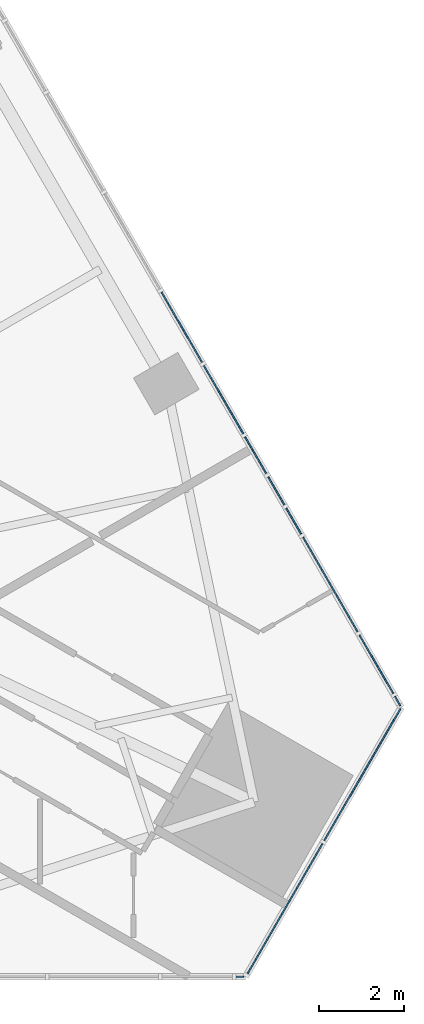
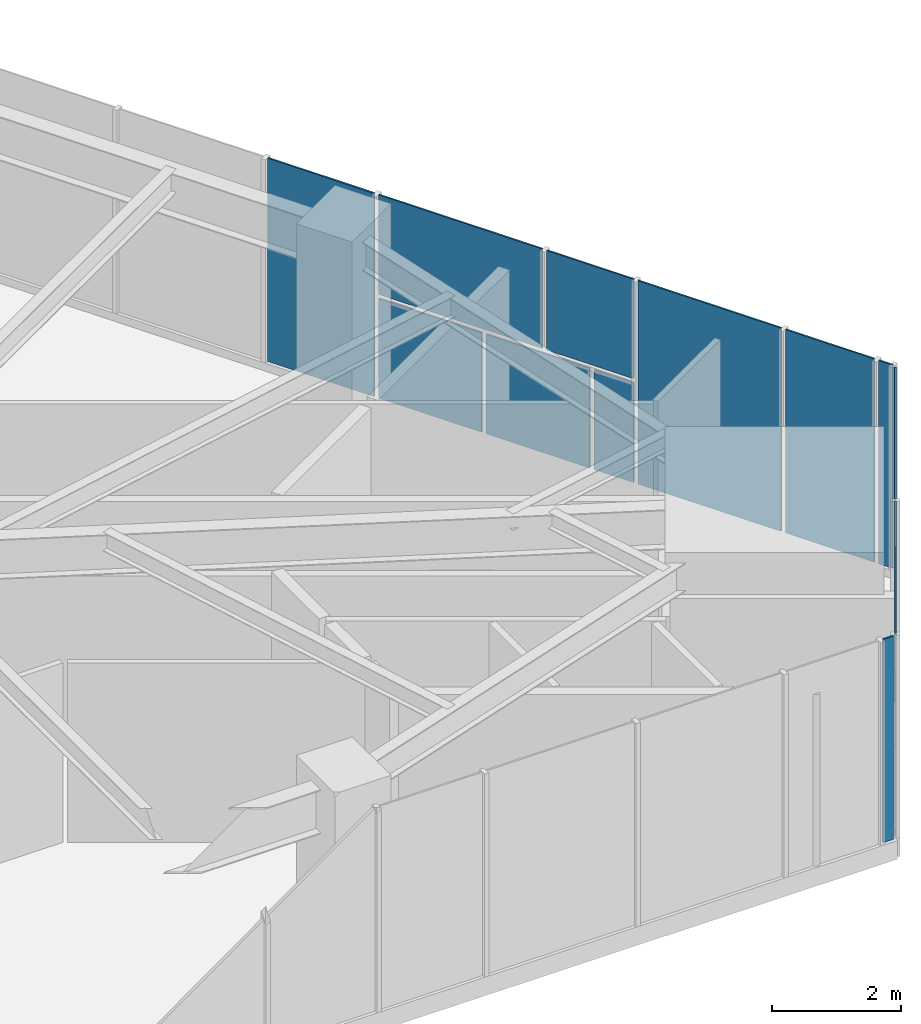
# One storey, part 13 of 22: 12 plates, 3 elements without a shape of their own.
"""IFC4 building model written with IfcOpenShell, lengths in metres."""

from ifc_helpers import new_model, si_unit, direction, frame, origin, place, context, subcontext, project, spatial, polyline, outline, extrude, material, layer, layer_set, type_object, element, aggregate, save


model = new_model("IFC4")

# Units and contexts
model_context = context("Model", 3, precision=1e-05, world=origin(), true_north=direction((0.0, 1.0)))
body_context = subcontext(model_context, "Body", "Model", "MODEL_VIEW")
ifc_project = project(units=[si_unit("LENGTHUNIT", "METRE"), si_unit("AREAUNIT", "SQUARE_METRE"), si_unit("VOLUMEUNIT", "CUBIC_METRE"), si_unit("PLANEANGLEUNIT", "RADIAN"), si_unit("MASSUNIT", "GRAM", prefix="KILO")], contexts=[model_context])

# Site, building, storey
site_placement = place(None, origin())
site = spatial("IfcSite", under=ifc_project, at=site_placement, CompositionType="ELEMENT")
building_placement = place(site_placement, origin())
building = spatial("IfcBuilding", under=site, at=building_placement, Name="Firuza Gate Tower and Library", CompositionType="ELEMENT")
storey_placement = place(building_placement, frame((0.0, 0.0, 128.199951171875)))
storey = spatial("IfcBuildingStorey", under=building, at=storey_placement, Name="L29", CompositionType="ELEMENT", Elevation=128.199951171875)

# Curtain wall, plates
ifc_material_1 = material(Name="Aluminium 6063-T6", Category="aluminium")
ifc_layer_1 = layer(ifc_material_1, 0.14990234375)
ifc_layer_set_1 = layer_set([ifc_layer_1], Name="Corner curtain wall, chamfers")
curtain_wall_type_1 = type_object("IfcCurtainWallType", Name="Corner curtain wall, chamfers", PredefinedType="NOTDEFINED", material=ifc_layer_set_1)
placement = place(storey_placement, origin())
curtain_wall_1 = element("IfcCurtainWall", 1, at=placement, inside=storey, type_object=curtain_wall_type_1, Name="CW4 L29 SE corner", PredefinedType="NOTDEFINED")
ifc_material_2 = material(Name="Fritted glass", Category="glass")
ifc_layer_2 = layer(ifc_material_2, 0.030029296875)
ifc_layer_set_2 = layer_set([ifc_layer_2], Name="Fritted glass unit, corners")
plate_type_1 = type_object("IfcPlateType", Name="Fritted glass unit, corners", PredefinedType="CURTAIN_PANEL", material=ifc_layer_set_2)
plate_1_placement = place(storey_placement, frame((102.89306640625, 54.735107421875, 0.150146484375), z_axis=(0.866016723041, -0.500015035186, 0.0), x_axis=(0.500015035186, 0.866016723041, 0.0)))
plate_1 = element("IfcPlate", 2, at=plate_1_placement, type_object=plate_type_1, Name="Glass unit", PredefinedType="CURTAIN_PANEL", context=body_context, shape_type="SweptSolid", body=[
    extrude(outline(polyline([(0.0, 0.0), (3.5633694106530625, 0.0), (3.5633694106530625, 3.849853515625), (0.0, 3.849853515625), (0.0, 0.0)])), origin(), (0.0, 0.0, -1.0), 0.030029296875),
])
plate_2_placement = place(storey_placement, frame((104.71484375, 57.890380859375, 0.150146484375), z_axis=(0.866046390552, -0.49996364809, 0.0), x_axis=(0.49996364809, 0.866046390552, 0.0)))
plate_2 = element("IfcPlate", 3, at=plate_2_placement, type_object=plate_type_1, Name="Glass unit", PredefinedType="CURTAIN_PANEL", context=body_context, shape_type="SweptSolid", body=[
    extrude(outline(polyline([(0.0, 0.0), (3.563247342942594, 0.0), (3.563247342942594, 3.849853515625), (0.0, 3.849853515625), (0.0, 0.0)])), origin(), (0.0, 0.0, -1.0), 0.030029296875),
])
aggregate(curtain_wall_1, [plate_1, plate_2])

ifc_material_3 = material(Name="Aluminium 6063-T6", Category="aluminium")
ifc_layer_3 = layer(ifc_material_3, 0.14990234375)
ifc_layer_set_3 = layer_set([ifc_layer_3], Name="Unitised curtain wall, offices")
curtain_wall_type_2 = type_object("IfcCurtainWallType", Name="Unitised curtain wall, offices", PredefinedType="NOTDEFINED", material=ifc_layer_set_3)
curtain_wall_2 = element("IfcCurtainWall", 4, at=placement, inside=storey, type_object=curtain_wall_type_2, Name="CW1 L29 E face", PredefinedType="NOTDEFINED")
ifc_material_4 = material(Name="Fritted glass", Category="glass")
ifc_layer_4 = layer(ifc_material_4, 0.030029296875)
ifc_layer_set_4 = layer_set([ifc_layer_4], Name="Fritted glass unit, offices")
plate_type_2 = type_object("IfcPlateType", Name="Fritted glass unit, offices", PredefinedType="CURTAIN_PANEL", material=ifc_layer_set_4)
plate_3_placement = place(storey_placement, frame((106.330810546875, 61.347412109375, 0.150146484375), z_axis=(0.866039654489, 0.499975316243, 0.0), x_axis=(-0.499975316243, 0.866039654489, 0.0)))
plate_3 = element("IfcPlate", 5, at=plate_3_placement, type_object=plate_type_2, Name="Glass unit", PredefinedType="CURTAIN_PANEL", context=body_context, shape_type="SweptSolid", body=[
    extrude(outline(polyline([(0.0, 0.0), (1.5879690190819586, 0.0), (1.5879690190819586, 3.849853515625), (0.0, 3.849853515625), (0.0, 0.0)])), origin(), (0.0, 0.0, -1.0), 0.030029296875),
])
plate_4_placement = place(storey_placement, frame((104.1748046875, 65.081787109375, 0.150146484375), z_axis=(0.865914981231, 0.500191208719, 0.0), x_axis=(-0.500191208719, 0.865914981231, 0.0)))
plate_4 = element("IfcPlate", 6, at=plate_4_placement, type_object=plate_type_2, Name="Glass unit", PredefinedType="CURTAIN_PANEL", context=body_context, shape_type="SweptSolid", body=[
    extrude(outline(polyline([(0.0, 0.0), (0.7062728776855384, 0.0), (0.7062728776855384, 1.885009765625), (0.0, 1.885009765625), (0.0, 0.0)])), origin(), (0.0, 0.0, -1.0), 0.030029296875),
])
plate_5_placement = place(storey_placement, frame((102.816650390625, 67.43408203125, 0.150146484375), z_axis=(0.866013897511, 0.50001992892, 0.0), x_axis=(-0.50001992892, 0.866013897511, 0.0)))
plate_5 = element("IfcPlate", 7, at=plate_5_placement, type_object=plate_type_2, Name="Glass unit", PredefinedType="CURTAIN_PANEL", context=body_context, shape_type="SweptSolid", body=[
    extrude(outline(polyline([(0.0, 0.0), (1.8470943475583188, 0.0), (1.8470943475583188, 1.885009765625), (0.0, 1.885009765625), (0.0, 0.0)])), origin(), (0.0, 0.0, -1.0), 0.030029296875),
])
plate_6_placement = place(storey_placement, frame((103.35888671875, 66.494873046875, 2.114990234375), z_axis=(0.866020551717, 0.500008403934, 0.0), x_axis=(-0.500008403934, 0.866020551717, 0.0)))
plate_6 = element("IfcPlate", 8, at=plate_6_placement, type_object=plate_type_2, Name="Glass unit", PredefinedType="CURTAIN_PANEL", context=body_context, shape_type="SweptSolid", body=[
    extrude(outline(polyline([(0.0, 0.0), (2.9315913512011127, 0.0), (2.9315913512011127, 1.8850097656249998), (0.0, 1.8850097656249998), (0.0, 0.0)])), origin(), (0.0, 0.0, -1.0), 0.030029296875),
])
plate_7_placement = place(storey_placement, frame((101.85302734375, 69.10302734375, 0.150146484375), z_axis=(0.866066083458, 0.499929534118, 0.0), x_axis=(-0.499929534118, 0.866066083458, 0.0)))
plate_7 = element("IfcPlate", 9, at=plate_7_placement, type_object=plate_type_2, Name="Glass unit", PredefinedType="CURTAIN_PANEL", context=body_context, shape_type="SweptSolid", body=[
    extrude(outline(polyline([(0.0, 0.0), (1.9050536388194763, 0.0), (1.9050536388194763, 3.849853515625), (0.0, 3.849853515625), (0.0, 0.0)])), origin(), (0.0, 0.0, -1.0), 0.030029296875),
])

# Curtain wall, plate
curtain_wall_3 = element("IfcCurtainWall", 10, at=placement, inside=storey, type_object=curtain_wall_type_2, Name="CW1 L29 S face", PredefinedType="NOTDEFINED")
ifc_material_5 = material(Name="Glazed ceramic tile")
ifc_layer_5 = layer(ifc_material_5, 0.030029296875)
ifc_layer_set_5 = layer_set([ifc_layer_5], Name="Opaque ceramic panel, offices")
plate_type_3 = type_object("IfcPlateType", Name="Opaque ceramic panel, offices", PredefinedType="CURTAIN_PANEL", material=ifc_layer_set_5)
plate_8_placement = place(storey_placement, frame((102.634033203125, 54.693115234375, 0.150146484375), z_axis=(0.0, -1.0, 0.0), x_axis=(1.0, 0.0, 0.0)))
plate_8 = element("IfcPlate", 11, at=plate_8_placement, type_object=plate_type_3, Name="Opaque ceramic panel", PredefinedType="CURTAIN_PANEL", context=body_context, shape_type="SweptSolid", body=[
    extrude(outline(polyline([(0.0, 0.0), (0.18603515625, 0.0), (0.18603515625, 3.849853515625), (0.0, 3.849853515625), (0.0, 0.0)])), origin(), (0.0, 0.0, -1.0), 0.030029296875),
])
aggregate(curtain_wall_3, [plate_8])

# Plate
plate_9_placement = place(storey_placement, frame((106.496337890625, 61.060546875, 0.150146484375), z_axis=(0.866201770413, 0.499694399542, 0.0), x_axis=(-0.499694399542, 0.866201770413, 0.0)))
plate_9 = element("IfcPlate", 12, at=plate_9_placement, type_object=plate_type_3, Name="Opaque ceramic panel", PredefinedType="CURTAIN_PANEL", context=body_context, shape_type="SweptSolid", body=[
    extrude(outline(polyline([(0.0, 0.0), (0.25113005341856437, 0.0), (0.25113005341856437, 3.849853515625), (0.0, 3.849853515625), (0.0, 0.0)])), origin(), (0.0, 0.0, -1.0), 0.030029296875),
])

plate_10_placement = place(storey_placement, frame((105.496826171875, 62.7919921875, 0.150146484375), z_axis=(0.866025432576, 0.499999950132, 0.0), x_axis=(-0.499999950132, 0.866025432576, 0.0)))
plate_10 = element("IfcPlate", 13, at=plate_10_placement, type_object=plate_type_3, Name="Opaque ceramic panel", PredefinedType="CURTAIN_PANEL", context=body_context, shape_type="SweptSolid", body=[
    extrude(outline(polyline([(0.0, 0.0), (2.5639650994676484, 0.0), (2.5639650994676484, 3.849853515625001), (0.0, 3.849853515625001), (0.0, 0.0)])), origin(), (0.0, 0.0, -1.0), 0.030029296875),
])

plate_11_placement = place(storey_placement, frame((103.78173828125, 65.7626953125, 0.150146484375), z_axis=(0.866000971088, 0.500042316284, 0.0), x_axis=(-0.500042316284, 0.866000971088, 0.0)))
plate_11 = element("IfcPlate", 14, at=plate_11_placement, type_object=plate_type_3, Name="Opaque ceramic panel", PredefinedType="CURTAIN_PANEL", context=body_context, shape_type="SweptSolid", body=[
    extrude(outline(polyline([(0.0, 0.0), (1.849941090986189, 0.0), (1.849941090986189, 1.885009765625), (0.0, 1.885009765625), (0.0, 0.0)])), origin(), (0.0, 0.0, -1.0), 0.030029296875),
])

plate_12_placement = place(storey_placement, frame((104.1748046875, 65.081787109375, 2.114990234375), z_axis=(0.866007408613, 0.500031167255, 0.0), x_axis=(-0.500031167255, 0.866007408613, 0.0)))
plate_12 = element("IfcPlate", 15, at=plate_12_placement, type_object=plate_type_3, Name="Opaque ceramic panel", PredefinedType="CURTAIN_PANEL", context=body_context, shape_type="SweptSolid", body=[
    extrude(outline(polyline([(0.0, 0.0), (1.551661090465214, 0.0), (1.551661090465214, 1.885009765625), (0.0, 1.885009765625), (0.0, 0.0)])), origin(), (0.0, 0.0, -1.0), 0.030029296875),
])

aggregate(curtain_wall_2, [plate_9, plate_3, plate_10, plate_4, plate_11, plate_5, plate_12, plate_6, plate_7])

save(model, "model.ifc")
